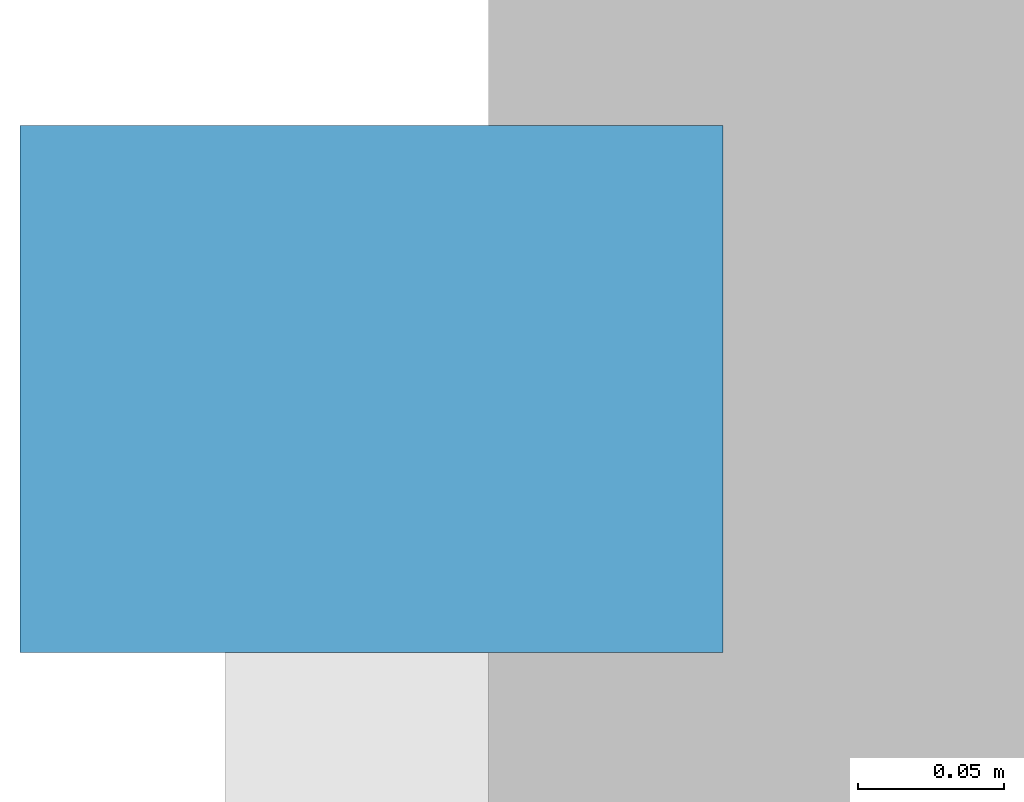
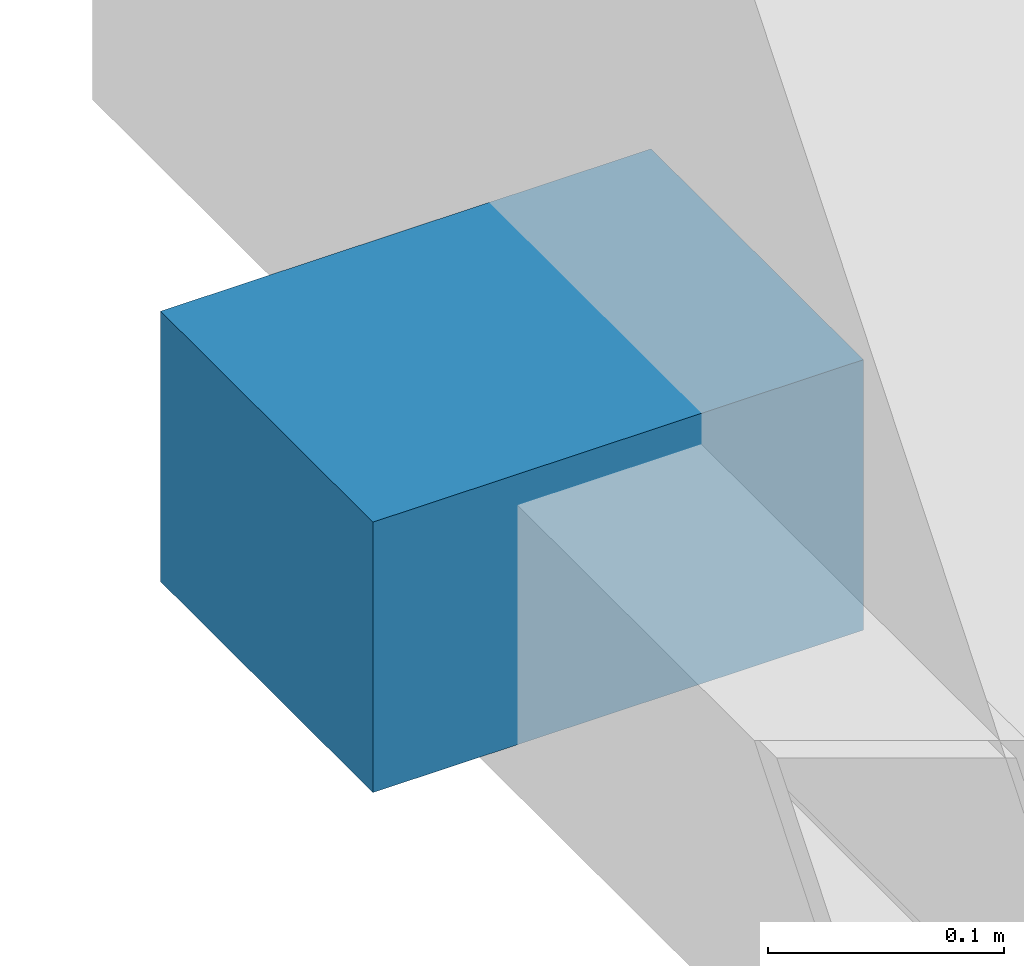
# One storey, part 70 of 78: 1 discrete accessory.
"""IFC4 building model written with IfcOpenShell, lengths in metres."""

from ifc_helpers import new_model, si_unit, direction, frame, origin, origin_2d, place, context, subcontext, project, spatial, rectangle, extrude, material, layer, layer_set, type_object, element, save


model = new_model("IFC4")

# Units and contexts
model_context = context("Model", 3, precision=1e-05, world=origin(), true_north=direction((0.0, 1.0)))
body_context = subcontext(model_context, "Body", "Model", "MODEL_VIEW")
ifc_project = project(units=[si_unit("LENGTHUNIT", "METRE"), si_unit("AREAUNIT", "SQUARE_METRE"), si_unit("VOLUMEUNIT", "CUBIC_METRE"), si_unit("PLANEANGLEUNIT", "RADIAN"), si_unit("MASSUNIT", "GRAM", prefix="KILO")], contexts=[model_context])

# Site, building, storey
site_placement = place(None, origin())
site = spatial("IfcSite", under=ifc_project, at=site_placement, CompositionType="ELEMENT")
building_placement = place(site_placement, origin())
building = spatial("IfcBuilding", under=site, at=building_placement, Name="Haebicheon Civic Stadium", CompositionType="ELEMENT")
storey_placement = place(building_placement, frame((0.0, 0.0, 18.60009765625)))
storey = spatial("IfcBuildingStorey", under=building, at=storey_placement, Name="L05", CompositionType="ELEMENT", Elevation=18.60009765625)

# Discrete accessory
ifc_material = material(Name="Stainless steel 316", Category="steel")
ifc_layer = layer(ifc_material, 0.139892578125, Name="Stainless steel 316")
ifc_layer_set = layer_set([ifc_layer], Name="Stainless steel 316")
discrete_accessory_type = type_object("IfcDiscreteAccessoryType", Name="BRK-LVR-CLEAT", PredefinedType="BRACKET", material=ifc_layer_set)
discrete_accessory_placement = place(storey_placement, frame((23.534912109375, 136.0, 0.009765625), z_axis=(0.0, 0.0, 1.0), x_axis=(1.0, 0.0, 0.0)))
element("IfcDiscreteAccessory", 1, at=discrete_accessory_placement, inside=storey, type_object=discrete_accessory_type, material=ifc_layer_set, Name="SCR-WEST L05 stainless bracket cleat 11B", PredefinedType="BRACKET", context=body_context, shape_type="SweptSolid", body=[
    extrude(rectangle(XDim=0.239990234375, YDim=0.179931640625, at=origin_2d()), origin(), (0.0, 0.0, 1.0), 0.139892578125),
])

save(model, "model.ifc")
